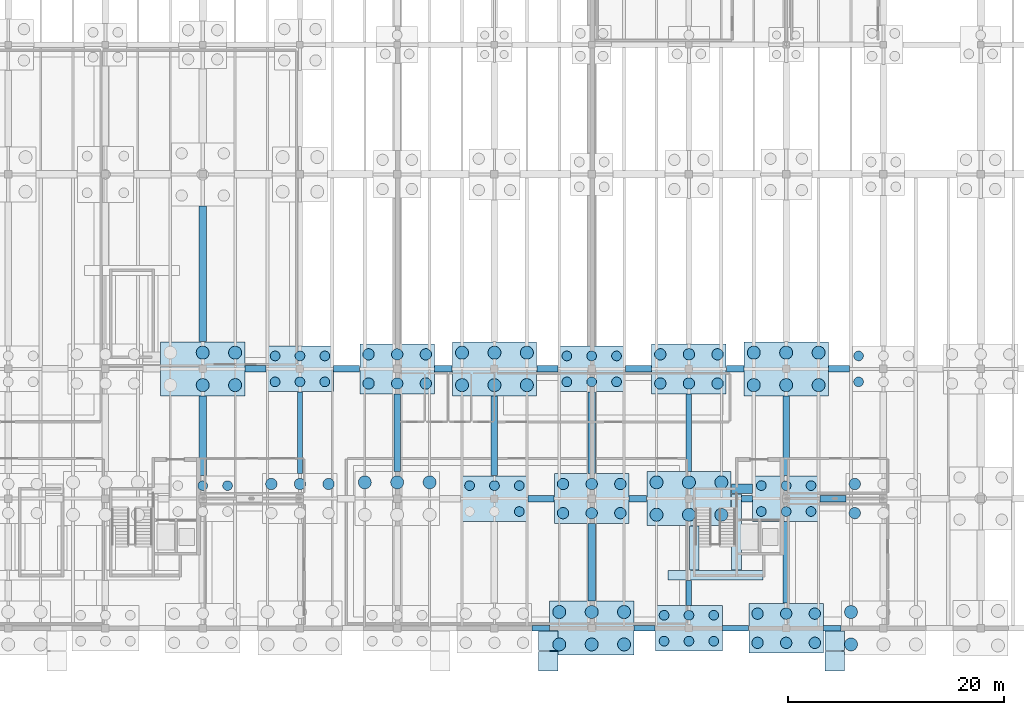
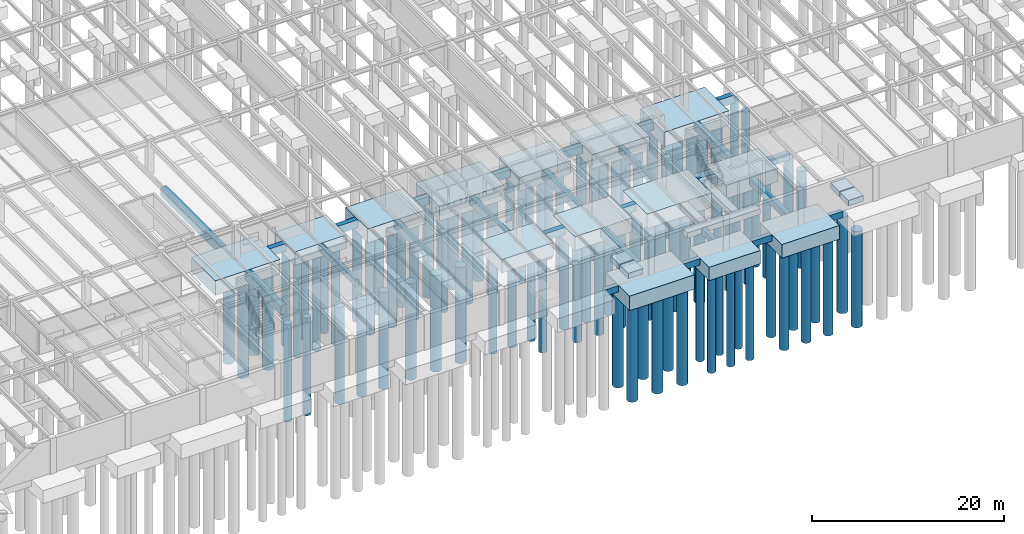
# One storey, part 4 of 40: 94 piles, 48 footings.
"""IFC4 building model written with IfcOpenShell, lengths in metres."""

import ifcopenshell
import ifcopenshell.guid

model = None  # the IFC model being written
_history = None  # IfcOwnerHistory: only IFC2X3 demands one
_inside = {}  # id of a spatial element -> (the spatial element, [elements in it])
_under = {}  # id of a project, library or spatial element -> (it, [spatial elements below it])
_declared = {}  # id of a project -> (the project, [libraries it declares])
_typed = {}  # id of a type object -> (the type object, [elements of that type])
_made_of = {}  # id of a material, layer set ... -> (it, [elements and type objects made of it])


def new_model(schema):
    """Start an empty IFC model of exactly this schema.

    Asked for "IFC4X3", IfcOpenShell would pick the latest addendum, in which some entities
    have other attributes; the version numbers below select the first issue.
    IFC2X3 requires an IfcOwnerHistory on every rooted entity: one is made here for all.
    """
    global model, _history
    if schema == "IFC4X3":
        model = ifcopenshell.file(schema_version=(4, 3, 0, 0))
    else:
        model = ifcopenshell.file(schema=schema)
    _inside.clear()
    _under.clear()
    _declared.clear()
    _typed.clear()
    _made_of.clear()
    _history = None
    if model.schema == "IFC2X3":
        org = make("IfcOrganization", Name="unknown")
        user = make(
            "IfcPersonAndOrganization",
            ThePerson=make("IfcPerson", FamilyName="unknown"),
            TheOrganization=org,
        )
        app = make(
            "IfcApplication",
            ApplicationDeveloper=org,
            Version="unknown",
            ApplicationFullName="unknown",
            ApplicationIdentifier="unknown",
        )
        _history = make(
            "IfcOwnerHistory",
            OwningUser=user,
            OwningApplication=app,
            ChangeAction="ADDED",
            CreationDate=0,
        )
    return model


def make(cls, **values):
    """One entity of the class cls with the attributes given. An attribute that is None is left unset."""
    return model.create_entity(
        cls, **{name: value for name, value in values.items() if value is not None}
    )


def rooted(cls, **values):
    """An entity with a GlobalId (a new one), such as an element, a storey or a relation."""
    return make(cls, GlobalId=ifcopenshell.guid.new(), OwnerHistory=_history, **values)


def si_unit(unit_type, name, prefix=None):
    """IfcSIUnit, for example si_unit("LENGTHUNIT", "METRE", prefix="MILLI")."""
    return make("IfcSIUnit", UnitType=unit_type, Prefix=prefix, Name=name)


def assignment(units):
    """IfcUnitAssignment: the units of a project."""
    return None if units is None else make("IfcUnitAssignment", Units=units)


def point(xyz):
    """IfcCartesianPoint."""
    return None if xyz is None else make("IfcCartesianPoint", Coordinates=xyz)


def direction(xyz):
    """IfcDirection."""
    return None if xyz is None else make("IfcDirection", DirectionRatios=xyz)


def frame(location, z_axis=None, x_axis=None):
    """IfcAxis2Placement3D, a coordinate frame: its origin and axes. An axis left out is left unset."""
    return make(
        "IfcAxis2Placement3D",
        Location=point(location),
        Axis=direction(z_axis),
        RefDirection=direction(x_axis),
    )


def frame_2d(location, x_axis=None):
    """IfcAxis2Placement2D, a coordinate frame in the plane: its origin and x axis."""
    return make(
        "IfcAxis2Placement2D", Location=point(location), RefDirection=direction(x_axis)
    )


def origin():
    """The frame at (0, 0, 0) with its axes left unset."""
    return frame((0.0, 0.0, 0.0))


def origin_2d():
    """The frame at (0, 0) in the plane with its x axis left unset."""
    return frame_2d((0.0, 0.0))


def place(relative_to, where):
    """IfcLocalPlacement: puts the frame where relative to a parent placement (None: the world)."""
    return make(
        "IfcLocalPlacement", PlacementRelTo=relative_to, RelativePlacement=where
    )


def context(
    kind, dimensions, precision=None, world=None, true_north=None, identifier=None
):
    """IfcGeometricRepresentationContext, for example the 3D "Model" context."""
    return make(
        "IfcGeometricRepresentationContext",
        ContextIdentifier=identifier,
        ContextType=kind,
        CoordinateSpaceDimension=dimensions,
        Precision=precision,
        WorldCoordinateSystem=world,
        TrueNorth=true_north,
    )


def subcontext(parent, identifier, kind, view, scale=None):
    """IfcGeometricRepresentationSubContext, for example "Body" below "Model"."""
    return make(
        "IfcGeometricRepresentationSubContext",
        ContextIdentifier=identifier,
        ContextType=kind,
        ParentContext=parent,
        TargetScale=scale,
        TargetView=view,
    )


def project(units=None, contexts=None):
    """IfcProject with its units and contexts."""
    return rooted(
        "IfcProject",
        Name="project",
        RepresentationContexts=contexts,
        UnitsInContext=assignment(units),
    )


def spatial(cls, under=None, at=None, **own):
    """A site, building, storey or space (cls), placed at a placement, below another one or the project."""
    s = rooted(cls, ObjectPlacement=at, **own)
    if under is not None:
        _under.setdefault(under.id(), (under, []))[1].append(s)
    return s


def polyline(points):
    """IfcPolyline through the points."""
    return make("IfcPolyline", Points=[point(p) for p in points])


def profile(cls, at=None, kind="AREA", **sizes):
    """A parametric profile (cls). Its sizes go by their IFC names, for example OverallWidth=200.0."""
    return make(cls, ProfileType=kind, Position=at, **sizes)


def rectangle(**sizes):
    """IfcRectangleProfileDef."""
    return profile("IfcRectangleProfileDef", **sizes)


def circle(**sizes):
    """IfcCircleProfileDef."""
    return profile("IfcCircleProfileDef", **sizes)


def outline(outer, holes=None, kind="AREA"):
    """IfcArbitraryClosedProfileDef: a profile drawn as a closed curve; with holes, ...WithVoids."""
    if holes is None:
        return make("IfcArbitraryClosedProfileDef", ProfileType=kind, OuterCurve=outer)
    return make(
        "IfcArbitraryProfileDefWithVoids",
        ProfileType=kind,
        OuterCurve=outer,
        InnerCurves=holes,
    )


def extrude(swept, where, along, depth):
    """IfcExtrudedAreaSolid: the profile swept, set in the frame where, extruded along a direction by depth."""
    return make(
        "IfcExtrudedAreaSolid",
        SweptArea=swept,
        Position=where,
        ExtrudedDirection=direction(along),
        Depth=depth,
    )


def shape(context_of_items, identifier, shape_type, items):
    """IfcShapeRepresentation: the items that make up one representation, for example the "Body"."""
    return make(
        "IfcShapeRepresentation",
        ContextOfItems=context_of_items,
        RepresentationIdentifier=identifier,
        RepresentationType=shape_type,
        Items=items,
    )


def material(Name=None, Category=None):
    """IfcMaterial."""
    return make("IfcMaterial", Name=Name, Category=Category)


def material_profile(
    of_material, cross_section, Name=None, Category=None, Priority=None
):
    """IfcMaterialProfile: a cross section and its material."""
    return make(
        "IfcMaterialProfile",
        Name=Name,
        Material=of_material,
        Profile=cross_section,
        Priority=Priority,
        Category=Category,
    )


def profile_set(profiles, Name=None, composite=None):
    """IfcMaterialProfileSet."""
    return make(
        "IfcMaterialProfileSet",
        Name=Name,
        MaterialProfiles=profiles,
        CompositeProfile=composite,
    )


def made_of(thing, what):
    """Note that an element or type object is made of a material, layer set ...; save() writes the relation."""
    if what is not None:
        _made_of.setdefault(what.id(), (what, []))[1].append(thing)
    return thing


def type_object(cls, material=None, **own):
    """A type object (cls), such as IfcWallType, which elements share."""
    return made_of(rooted(cls, **own), material)


def element(
    cls,
    number,
    at=None,
    inside=None,
    cuts=None,
    type_object=None,
    material=None,
    context=None,
    identifier="Body",
    shape_type=None,
    held_by="IfcProductDefinitionShape",
    body=None,
    shapes=None,
    **own,
):
    """One element of the class cls, such as IfcWall. Its Tag is "e" and its number.

    at: its placement. inside: the storey or other place that contains it. cuts: it is an
    opening in that element (IfcRelVoidsElement). A single representation is given by context,
    identifier, shape_type and body (its items); several are given by shapes. held_by: the class
    of the entity that holds the representations. save() writes the other relations.
    """
    e = rooted(cls, Tag="e%d" % number, ObjectPlacement=at, **own)
    if body is not None:
        shapes = [shape(context, identifier, shape_type, body)]
    if shapes is not None:
        e.Representation = make(held_by, Representations=shapes)
    if inside is not None:
        _inside.setdefault(inside.id(), (inside, []))[1].append(e)
    if cuts is not None:
        rooted(
            "IfcRelVoidsElement", RelatingBuildingElement=cuts, RelatedOpeningElement=e
        )
    if type_object is not None:
        _typed.setdefault(type_object.id(), (type_object, []))[1].append(e)
    return made_of(e, material)


def aggregate(whole, parts):
    """IfcRelAggregates: a whole, such as a stair, and the parts it consists of."""
    return rooted("IfcRelAggregates", RelatingObject=whole, RelatedObjects=parts)


def save(model, path):
    """Write the relations noted so far, then the file.

    IfcRelAggregates (storeys below a building ...), IfcRelContainedInSpatialStructure (elements
    in a storey), IfcRelDefinesByType, IfcRelAssociatesMaterial and IfcRelDeclares: one each for
    every whole, place, type object, material and project.
    """
    for whole, parts in _under.values():
        aggregate(whole, parts)
    for where, things in _inside.values():
        rooted(
            "IfcRelContainedInSpatialStructure",
            RelatedElements=things,
            RelatingStructure=where,
        )
    for kind, things in _typed.values():
        rooted("IfcRelDefinesByType", RelatedObjects=things, RelatingType=kind)
    for what, things in _made_of.values():
        rooted("IfcRelAssociatesMaterial", RelatedObjects=things, RelatingMaterial=what)
    for by, libraries in _declared.values():
        rooted("IfcRelDeclares", RelatingContext=by, RelatedDefinitions=libraries)
    model.write(path)


model = new_model("IFC4")

# Units and contexts
model_context = context("Model", 3, precision=1e-05, world=origin(), true_north=direction((0.0, 1.0)))
body_context = subcontext(model_context, "Body", "Model", "MODEL_VIEW")
ifc_project = project(units=[si_unit("LENGTHUNIT", "METRE"), si_unit("AREAUNIT", "SQUARE_METRE"), si_unit("VOLUMEUNIT", "CUBIC_METRE"), si_unit("PLANEANGLEUNIT", "RADIAN"), si_unit("MASSUNIT", "GRAM", prefix="KILO")], contexts=[model_context])

# Site, building, storey
site_placement = place(None, origin())
site = spatial("IfcSite", under=ifc_project, at=site_placement, CompositionType="ELEMENT")
building_placement = place(site_placement, origin())
building = spatial("IfcBuilding", under=site, at=building_placement, Name="Montelvaro Courts of Justice", CompositionType="ELEMENT")
storey_placement = place(building_placement, frame((0.0, 0.0, -4.5)))
storey = spatial("IfcBuildingStorey", under=building, at=storey_placement, Name="B01", CompositionType="ELEMENT", Elevation=-4.5)

# Piles
ifc_material = material(Name="Concrete C35/45", Category="concrete")
ifc_material_profile_1 = material_profile(ifc_material, circle(Radius=0.52490234375, at=origin_2d()), Name="BORED PILE D1050")
ifc_profile_set_1 = profile_set([ifc_material_profile_1], Name="Concrete C35/45")
pile_type_1 = type_object("IfcPileType", Name="BoredPile_1050", PredefinedType="BORED", material=ifc_profile_set_1)
for number, where, z_axis, x_axis, name in (
    (1, (69.35009765625, 13.35009765625, -1.64990234375), (0.0, 0.0, -1.0), (1.0, 0.0, 0.0), "Bored Pile BP-03 9/B-4"),
    (2, (72.0, 13.35009765625, -1.64990234375), (0.0, 0.0, -1.0), (1.0, 0.0, 0.0), "Bored Pile BP-03 9/B-5"),
    (3, (74.64990234375, 13.35009765625, -1.64990234375), (0.0, 0.0, -1.0), (1.0, 0.0, 0.0), "Bored Pile BP-03 9/B-6"),
    (4, (78.35009765625, 22.64990234375, -1.64990234375), (0.0, 0.0, -1.0), (1.0, 0.0, 0.0), "Bored Pile BP-03 10/C-1"),
    (5, (81.0, 22.64990234375, -1.64990234375), (0.0, 0.0, -1.0), (1.0, 0.0, 0.0), "Bored Pile BP-03 10/C-2"),
    (6, (83.64990234375, 22.64990234375, -1.64990234375), (0.0, 0.0, -1.0), (1.0, 0.0, 0.0), "Bored Pile BP-03 10/C-3"),
    (7, (78.35009765625, 25.35009765625, -1.64990234375), (0.0, 0.0, -1.0), (1.0, 0.0, 0.0), "Bored Pile BP-03 10/C-4"),
    (8, (81.0, 25.35009765625, -1.64990234375), (0.0, 0.0, -1.0), (1.0, 0.0, 0.0), "Bored Pile BP-03 10/C-5"),
    (9, (83.64990234375, 25.35009765625, -1.64990234375), (0.0, 0.0, -1.0), (1.0, 0.0, 0.0), "Bored Pile BP-03 10/C-6"),
    (10, (96.35009765625, 10.64990234375, -1.64990234375), (0.0, 0.0, -1.0), (1.0, 0.0, 0.0), "Bored Pile BP-03 12/B-1"),
    (11, (99.0, 10.64990234375, -1.64990234375), (0.0, 0.0, -1.0), (1.0, 0.0, 0.0), "Bored Pile BP-03 12/B-2"),
    (12, (101.64990234375, 10.64990234375, -1.64990234375), (0.0, 0.0, -1.0), (1.0, 0.0, 0.0), "Bored Pile BP-03 12/B-3"),
    (13, (96.35009765625, 13.35009765625, -1.64990234375), (0.0, 0.0, -1.0), (1.0, 0.0, 0.0), "Bored Pile BP-03 12/B-4"),
    (14, (99.0, 13.35009765625, -1.64990234375), (0.0, 0.0, -1.0), (1.0, 0.0, 0.0), "Bored Pile BP-03 12/B-5"),
    (15, (101.64990234375, 13.35009765625, -1.64990234375), (0.0, 0.0, -1.0), (1.0, 0.0, 0.0), "Bored Pile BP-03 12/B-6"),
    (16, (105.35009765625, 22.64990234375, -1.64990234375), (0.0, 0.0, -1.0), (1.0, 0.0, 0.0), "Bored Pile BP-03 13/C-1"),
    (17, (108.0, 22.64990234375, -1.64990234375), (0.0, 0.0, -1.0), (1.0, 0.0, 0.0), "Bored Pile BP-03 13/C-2"),
    (18, (110.64990234375, 22.64990234375, -1.64990234375), (0.0, 0.0, -1.0), (1.0, 0.0, 0.0), "Bored Pile BP-03 13/C-3"),
    (19, (105.35009765625, 25.35009765625, -1.64990234375), (0.0, 0.0, -1.0), (1.0, 0.0, 0.0), "Bored Pile BP-03 13/C-4"),
    (20, (108.0, 25.35009765625, -1.64990234375), (0.0, 0.0, -1.0), (1.0, 0.0, 0.0), "Bored Pile BP-03 13/C-5"),
    (21, (110.64990234375, 25.35009765625, -1.64990234375), (0.0, 0.0, -1.0), (1.0, 0.0, 0.0), "Bored Pile BP-03 13/C-6"),
    (22, (114.35009765625, -1.35009765625, -1.64990234375), (0.0, 0.0, -1.0), (1.0, 0.0, 0.0), "Bored Pile BP-03 14/A-1"),
    (23, (117.0, -1.35009765625, -1.64990234375), (0.0, 0.0, -1.0), (1.0, 0.0, 0.0), "Bored Pile BP-03 14/A-2"),
    (24, (119.64990234375, -1.35009765625, -1.64990234375), (0.0, 0.0, -1.0), (1.0, 0.0, 0.0), "Bored Pile BP-03 14/A-3"),
    (25, (114.35009765625, 1.35009765625, -1.64990234375), (0.0, 0.0, -1.0), (1.0, 0.0, 0.0), "Bored Pile BP-03 14/A-4"),
    (26, (117.0, 1.35009765625, -1.64990234375), (0.0, 0.0, -1.0), (1.0, 0.0, 0.0), "Bored Pile BP-03 14/A-5"),
    (27, (119.64990234375, 1.35009765625, -1.64990234375), (0.0, 0.0, -1.0), (1.0, 0.0, 0.0), "Bored Pile BP-03 14/A-6"),
    (28, (123.35009765625, 10.64990234375, -1.64990234375), (0.0, 0.0, -1.0), (1.0, 0.0, 0.0), "Bored Pile BP-03 15/B-1"),
    (29, (123.35009765625, 13.35009765625, -1.64990234375), (0.0, 0.0, -1.0), (1.0, 0.0, 0.0), "Bored Pile BP-03 15/B-4"),
):
    element("IfcPile", number, at=place(storey_placement, frame(where, z_axis=z_axis, x_axis=x_axis)), inside=storey, type_object=pile_type_1, Name=name, PredefinedType="BORED", context=body_context, shape_type="SweptSolid", body=[
        extrude(circle(Radius=0.52490234375, at=origin_2d()), origin(), (0.0, 0.0, 1.0), 12.35009765625),
    ])
ifc_material_profile_2 = material_profile(ifc_material, circle(Radius=0.60009765625, at=origin_2d()), Name="BORED PILE D1200")
ifc_profile_set_2 = profile_set([ifc_material_profile_2], Name="Concrete C35/45")
pile_type_2 = type_object("IfcPileType", Name="BoredPile_1200", PredefinedType="BORED", material=ifc_profile_set_2)
for number, where, z_axis, x_axis, name in (
    (30, (63.0, 22.5, -1.75), (0.0, 0.0, -1.0), (1.0, 0.0, 0.0), "Bored Pile BP-04 8/C-2"),
    (31, (66.0, 22.5, -1.75), (0.0, 0.0, -1.0), (1.0, 0.0, 0.0), "Bored Pile BP-04 8/C-3"),
    (32, (63.0, 25.5, -1.75), (0.0, 0.0, -1.0), (1.0, 0.0, 0.0), "Bored Pile BP-04 8/C-5"),
    (33, (66.0, 25.5, -1.75), (0.0, 0.0, -1.0), (1.0, 0.0, 0.0), "Bored Pile BP-04 8/C-6"),
    (34, (78.0, 13.5, -1.75), (0.0, 0.0, -1.0), (1.0, 0.0, 0.0), "Bored Pile BP-04 10/B-4"),
    (35, (81.0, 13.5, -1.75), (0.0, 0.0, -1.0), (1.0, 0.0, 0.0), "Bored Pile BP-04 10/B-5"),
    (36, (84.0, 13.5, -1.75), (0.0, 0.0, -1.0), (1.0, 0.0, 0.0), "Bored Pile BP-04 10/B-6"),
    (37, (87.0, 22.5, -1.75), (0.0, 0.0, -1.0), (1.0, 0.0, 0.0), "Bored Pile BP-04 11/C-1"),
    (38, (90.0, 22.5, -1.75), (0.0, 0.0, -1.0), (1.0, 0.0, 0.0), "Bored Pile BP-04 11/C-2"),
    (39, (93.0, 22.5, -1.75), (0.0, 0.0, -1.0), (1.0, 0.0, 0.0), "Bored Pile BP-04 11/C-3"),
    (40, (87.0, 25.5, -1.75), (0.0, 0.0, -1.0), (1.0, 0.0, 0.0), "Bored Pile BP-04 11/C-4"),
    (41, (90.0, 25.5, -1.75), (0.0, 0.0, -1.0), (1.0, 0.0, 0.0), "Bored Pile BP-04 11/C-5"),
    (42, (93.0, 25.5, -1.75), (0.0, 0.0, -1.0), (1.0, 0.0, 0.0), "Bored Pile BP-04 11/C-6"),
    (43, (96.0, -1.5, -1.75), (0.0, 0.0, -1.0), (1.0, 0.0, 0.0), "Bored Pile BP-04 12/A-1"),
    (44, (99.0, -1.5, -1.75), (0.0, 0.0, -1.0), (1.0, 0.0, 0.0), "Bored Pile BP-04 12/A-2"),
    (45, (102.0, -1.5, -1.75), (0.0, 0.0, -1.0), (1.0, 0.0, 0.0), "Bored Pile BP-04 12/A-3"),
    (46, (96.0, 1.5, -1.75), (0.0, 0.0, -1.0), (1.0, 0.0, 0.0), "Bored Pile BP-04 12/A-4"),
    (47, (99.0, 1.5, -1.75), (0.0, 0.0, -1.0), (1.0, 0.0, 0.0), "Bored Pile BP-04 12/A-5"),
    (48, (102.0, 1.5, -1.75), (0.0, 0.0, -1.0), (1.0, 0.0, 0.0), "Bored Pile BP-04 12/A-6"),
    (49, (105.0, 10.5, -1.75), (0.0, 0.0, -1.0), (1.0, 0.0, 0.0), "Bored Pile BP-04 13/B-1"),
    (50, (108.0, 10.5, -1.75), (0.0, 0.0, -1.0), (1.0, 0.0, 0.0), "Bored Pile BP-04 13/B-2"),
    (51, (111.0, 10.5, -1.75), (0.0, 0.0, -1.0), (1.0, 0.0, 0.0), "Bored Pile BP-04 13/B-3"),
    (52, (105.0, 13.5, -1.75), (0.0, 0.0, -1.0), (1.0, 0.0, 0.0), "Bored Pile BP-04 13/B-4"),
    (53, (108.0, 13.5, -1.75), (0.0, 0.0, -1.0), (1.0, 0.0, 0.0), "Bored Pile BP-04 13/B-5"),
    (54, (111.0, 13.5, -1.75), (0.0, 0.0, -1.0), (1.0, 0.0, 0.0), "Bored Pile BP-04 13/B-6"),
    (55, (114.0, 22.5, -1.75), (0.0, 0.0, -1.0), (1.0, 0.0, 0.0), "Bored Pile BP-04 14/C-1"),
    (56, (117.0, 22.5, -1.75), (0.0, 0.0, -1.0), (1.0, 0.0, 0.0), "Bored Pile BP-04 14/C-2"),
    (57, (120.0, 22.5, -1.75), (0.0, 0.0, -1.0), (1.0, 0.0, 0.0), "Bored Pile BP-04 14/C-3"),
    (58, (114.0, 25.5, -1.75), (0.0, 0.0, -1.0), (1.0, 0.0, 0.0), "Bored Pile BP-04 14/C-4"),
    (59, (117.0, 25.5, -1.75), (0.0, 0.0, -1.0), (1.0, 0.0, 0.0), "Bored Pile BP-04 14/C-5"),
    (60, (120.0, 25.5, -1.75), (0.0, 0.0, -1.0), (1.0, 0.0, 0.0), "Bored Pile BP-04 14/C-6"),
    (61, (123.0, -1.5, -1.75), (0.0, 0.0, -1.0), (1.0, 0.0, 0.0), "Bored Pile BP-04 15/A-1"),
    (62, (123.0, 1.5, -1.75), (0.0, 0.0, -1.0), (1.0, 0.0, 0.0), "Bored Pile BP-04 15/A-4"),
):
    element("IfcPile", number, at=place(storey_placement, frame(where, z_axis=z_axis, x_axis=x_axis)), inside=storey, type_object=pile_type_2, Name=name, PredefinedType="BORED", context=body_context, shape_type="SweptSolid", body=[
        extrude(circle(Radius=0.60009765625, at=origin_2d()), origin(), (0.0, 0.0, 1.0), 12.25),
    ])
ifc_material_profile_3 = material_profile(ifc_material, circle(Radius=0.449951171875, at=origin_2d()), Name="BORED PILE D900")
ifc_profile_set_3 = profile_set([ifc_material_profile_3], Name="Concrete C35/45")
pile_type_3 = type_object("IfcPileType", Name="BoredPile_900", PredefinedType="BORED", material=ifc_profile_set_3)
for number, where, z_axis, x_axis, name in (
    (63, (63.0, 13.199951171875, -1.60009765625), (0.0, 0.0, -1.0), (1.0, 0.0, 0.0), "Bored Pile BP-02 8/B-5"),
    (64, (65.300048828125, 13.199951171875, -1.60009765625), (0.0, 0.0, -1.0), (1.0, 0.0, 0.0), "Bored Pile BP-02 8/B-6"),
    (65, (69.699951171875, 22.800048828125, -1.60009765625), (0.0, 0.0, -1.0), (1.0, 0.0, 0.0), "Bored Pile BP-02 9/C-1"),
    (66, (72.0, 22.800048828125, -1.60009765625), (0.0, 0.0, -1.0), (1.0, 0.0, 0.0), "Bored Pile BP-02 9/C-2"),
    (67, (74.300048828125, 22.800048828125, -1.60009765625), (0.0, 0.0, -1.0), (1.0, 0.0, 0.0), "Bored Pile BP-02 9/C-3"),
    (68, (69.699951171875, 25.199951171875, -1.60009765625), (0.0, 0.0, -1.0), (1.0, 0.0, 0.0), "Bored Pile BP-02 9/C-4"),
    (69, (72.0, 25.199951171875, -1.60009765625), (0.0, 0.0, -1.0), (1.0, 0.0, 0.0), "Bored Pile BP-02 9/C-5"),
    (70, (74.300048828125, 25.199951171875, -1.60009765625), (0.0, 0.0, -1.0), (1.0, 0.0, 0.0), "Bored Pile BP-02 9/C-6"),
    (71, (92.300048828125, 10.800048828125, -1.60009765625), (0.0, 0.0, -1.0), (1.0, 0.0, 0.0), "Bored Pile BP-02 11/B-3"),
    (72, (87.699951171875, 13.199951171875, -1.60009765625), (0.0, 0.0, -1.0), (1.0, 0.0, 0.0), "Bored Pile BP-02 11/B-4"),
    (73, (90.0, 13.199951171875, -1.60009765625), (0.0, 0.0, -1.0), (1.0, 0.0, 0.0), "Bored Pile BP-02 11/B-5"),
    (74, (92.300048828125, 13.199951171875, -1.60009765625), (0.0, 0.0, -1.0), (1.0, 0.0, 0.0), "Bored Pile BP-02 11/B-6"),
    (75, (96.699951171875, 22.800048828125, -1.60009765625), (0.0, 0.0, -1.0), (1.0, 0.0, 0.0), "Bored Pile BP-02 12/C-1"),
    (76, (99.0, 22.800048828125, -1.60009765625), (0.0, 0.0, -1.0), (1.0, 0.0, 0.0), "Bored Pile BP-02 12/C-2"),
    (77, (101.300048828125, 22.800048828125, -1.60009765625), (0.0, 0.0, -1.0), (1.0, 0.0, 0.0), "Bored Pile BP-02 12/C-3"),
    (78, (96.699951171875, 25.199951171875, -1.60009765625), (0.0, 0.0, -1.0), (1.0, 0.0, 0.0), "Bored Pile BP-02 12/C-4"),
    (79, (99.0, 25.199951171875, -1.60009765625), (0.0, 0.0, -1.0), (1.0, 0.0, 0.0), "Bored Pile BP-02 12/C-5"),
    (80, (101.300048828125, 25.199951171875, -1.60009765625), (0.0, 0.0, -1.0), (1.0, 0.0, 0.0), "Bored Pile BP-02 12/C-6"),
    (81, (105.699951171875, -1.199951171875, -1.60009765625), (0.0, 0.0, -1.0), (1.0, 0.0, 0.0), "Bored Pile BP-02 13/A-1"),
    (82, (108.0, -1.199951171875, -1.60009765625), (0.0, 0.0, -1.0), (1.0, 0.0, 0.0), "Bored Pile BP-02 13/A-2"),
    (83, (110.300048828125, -1.199951171875, -1.60009765625), (0.0, 0.0, -1.0), (1.0, 0.0, 0.0), "Bored Pile BP-02 13/A-3"),
    (84, (105.699951171875, 1.199951171875, -1.60009765625), (0.0, 0.0, -1.0), (1.0, 0.0, 0.0), "Bored Pile BP-02 13/A-4"),
    (85, (108.0, 1.199951171875, -1.60009765625), (0.0, 0.0, -1.0), (1.0, 0.0, 0.0), "Bored Pile BP-02 13/A-5"),
    (86, (110.300048828125, 1.199951171875, -1.60009765625), (0.0, 0.0, -1.0), (1.0, 0.0, 0.0), "Bored Pile BP-02 13/A-6"),
    (87, (114.699951171875, 10.800048828125, -1.60009765625), (0.0, 0.0, -1.0), (1.0, 0.0, 0.0), "Bored Pile BP-02 14/B-1"),
    (88, (117.0, 10.800048828125, -1.60009765625), (0.0, 0.0, -1.0), (1.0, 0.0, 0.0), "Bored Pile BP-02 14/B-2"),
    (89, (119.300048828125, 10.800048828125, -1.60009765625), (0.0, 0.0, -1.0), (1.0, 0.0, 0.0), "Bored Pile BP-02 14/B-3"),
    (90, (114.699951171875, 13.199951171875, -1.60009765625), (0.0, 0.0, -1.0), (1.0, 0.0, 0.0), "Bored Pile BP-02 14/B-4"),
    (91, (117.0, 13.199951171875, -1.60009765625), (0.0, 0.0, -1.0), (1.0, 0.0, 0.0), "Bored Pile BP-02 14/B-5"),
    (92, (119.300048828125, 13.199951171875, -1.60009765625), (0.0, 0.0, -1.0), (1.0, 0.0, 0.0), "Bored Pile BP-02 14/B-6"),
    (93, (123.699951171875, 22.800048828125, -1.60009765625), (0.0, 0.0, -1.0), (1.0, 0.0, 0.0), "Bored Pile BP-02 15/C-1"),
    (94, (123.699951171875, 25.199951171875, -1.60009765625), (0.0, 0.0, -1.0), (1.0, 0.0, 0.0), "Bored Pile BP-02 15/C-4"),
):
    element("IfcPile", number, at=place(storey_placement, frame(where, z_axis=z_axis, x_axis=x_axis)), inside=storey, type_object=pile_type_3, Name=name, PredefinedType="BORED", context=body_context, shape_type="SweptSolid", body=[
        extrude(circle(Radius=0.449951171875, at=origin_2d()), origin(), (0.0, 0.0, 1.0), 12.39990234375),
    ])

# Footings
footing_type_1 = type_object("IfcFootingType", Name="GroundBeam_500x800", PredefinedType="FOOTING_BEAM", material=ifc_material)
footing_1_placement = place(storey_placement, frame((0.0, 0.0, -0.800048828125)))
element("IfcFooting", 95, at=footing_1_placement, inside=storey, type_object=footing_type_1, Name="Foundation Ground Beam GB-01", PredefinedType="FOOTING_BEAM", context=body_context, shape_type="SweptSolid", body=[
    extrude(outline(polyline([(93.469970703125, -0.25), (95.080078125, -0.25), (95.080078125, 0.25), (93.469970703125, 0.25), (93.469970703125, -0.25)])), origin(), (0.0, 0.0, 1.0), 0.800048828125),
])
footing_2_placement = place(storey_placement, frame((0.0, 0.0, -0.800048828125)))
element("IfcFooting", 96, at=footing_2_placement, inside=storey, type_object=footing_type_1, Name="Foundation Ground Beam GB-01", PredefinedType="FOOTING_BEAM", context=body_context, shape_type="SweptSolid", body=[
    extrude(outline(polyline([(102.919921875, -0.25), (104.8798828125, -0.25), (104.8798828125, 0.25), (102.919921875, 0.25), (102.919921875, -0.25)])), origin(), (0.0, 0.0, 1.0), 0.800048828125),
])
footing_3_placement = place(storey_placement, frame((0.0, 0.0, -0.800048828125)))
element("IfcFooting", 97, at=footing_3_placement, inside=storey, type_object=footing_type_1, Name="Foundation Ground Beam GB-01", PredefinedType="FOOTING_BEAM", context=body_context, shape_type="SweptSolid", body=[
    extrude(outline(polyline([(111.1201171875, -0.25), (113.530029296875, -0.25), (113.530029296875, 0.25), (111.1201171875, 0.25), (111.1201171875, -0.25)])), origin(), (0.0, 0.0, 1.0), 0.800048828125),
])
footing_4_placement = place(storey_placement, frame((0.0, 0.0, -0.800048828125)))
element("IfcFooting", 98, at=footing_4_placement, inside=storey, type_object=footing_type_1, Name="Foundation Ground Beam GB-01", PredefinedType="FOOTING_BEAM", context=body_context, shape_type="SweptSolid", body=[
    extrude(outline(polyline([(120.469970703125, -0.25), (122.080078125, -0.25), (122.080078125, 0.25), (120.469970703125, 0.25), (120.469970703125, -0.25)])), origin(), (0.0, 0.0, 1.0), 0.800048828125),
])
footing_5_placement = place(storey_placement, frame((0.0, 0.0, -0.800048828125)))
element("IfcFooting", 99, at=footing_5_placement, inside=storey, type_object=footing_type_1, Name="Foundation Ground Beam GB-01", PredefinedType="FOOTING_BEAM", context=body_context, shape_type="SweptSolid", body=[
    extrude(outline(polyline([(71.75, 14.320068359375), (72.25, 14.320068359375), (72.25, 21.8798828125), (71.75, 21.8798828125), (71.75, 14.320068359375)])), origin(), (0.0, 0.0, 1.0), 0.800048828125),
])
footing_6_placement = place(storey_placement, frame((0.0, 0.0, -0.800048828125)))
element("IfcFooting", 100, at=footing_6_placement, inside=storey, type_object=footing_type_1, Name="Foundation Ground Beam GB-01", PredefinedType="FOOTING_BEAM", context=body_context, shape_type="SweptSolid", body=[
    extrude(outline(polyline([(107.75, 2.1201171875), (108.25, 2.1201171875), (108.25, 4.429931640625), (107.75, 4.429931640625), (107.75, 2.1201171875)])), origin(), (0.0, 0.0, 1.0), 0.800048828125),
])
footing_7_placement = place(storey_placement, frame((0.0, 0.0, -0.800048828125)))
element("IfcFooting", 101, at=footing_7_placement, inside=storey, type_object=footing_type_1, Name="Foundation Ground Beam GB-01", PredefinedType="FOOTING_BEAM", context=body_context, shape_type="SweptSolid", body=[
    extrude(outline(polyline([(107.75, 14.52001953125), (108.25, 14.52001953125), (108.25, 21.679931640625), (107.75, 21.679931640625), (107.75, 14.52001953125)])), origin(), (0.0, 0.0, 1.0), 0.800048828125),
])
footing_type_2 = type_object("IfcFootingType", Name="GroundBeam_600x1000", PredefinedType="FOOTING_BEAM", material=ifc_material)
footing_8_placement = place(storey_placement, frame((0.0, 0.0, -1.0)))
element("IfcFooting", 102, at=footing_8_placement, inside=storey, type_object=footing_type_2, Name="Foundation Ground Beam GB-03", PredefinedType="FOOTING_BEAM", context=body_context, shape_type="SweptSolid", body=[
    extrude(outline(polyline([(66.919921875, 23.699951171875), (68.8798828125, 23.699951171875), (68.8798828125, 24.300048828125), (66.919921875, 24.300048828125), (66.919921875, 23.699951171875)])), origin(), (0.0, 0.0, 1.0), 1.0),
])
footing_9_placement = place(storey_placement, frame((0.0, 0.0, -1.0)))
element("IfcFooting", 103, at=footing_9_placement, inside=storey, type_object=footing_type_2, Name="Foundation Ground Beam GB-03", PredefinedType="FOOTING_BEAM", context=body_context, shape_type="SweptSolid", body=[
    extrude(outline(polyline([(75.1201171875, 23.699951171875), (77.530029296875, 23.699951171875), (77.530029296875, 24.300048828125), (75.1201171875, 24.300048828125), (75.1201171875, 23.699951171875)])), origin(), (0.0, 0.0, 1.0), 1.0),
])
footing_10_placement = place(storey_placement, frame((0.0, 0.0, -1.0)))
element("IfcFooting", 104, at=footing_10_placement, inside=storey, type_object=footing_type_2, Name="Foundation Ground Beam GB-03", PredefinedType="FOOTING_BEAM", context=body_context, shape_type="SweptSolid", body=[
    extrude(outline(polyline([(84.469970703125, 23.699951171875), (86.080078125, 23.699951171875), (86.080078125, 24.300048828125), (84.469970703125, 24.300048828125), (84.469970703125, 23.699951171875)])), origin(), (0.0, 0.0, 1.0), 1.0),
])
footing_11_placement = place(storey_placement, frame((0.0, 0.0, -1.0)))
element("IfcFooting", 105, at=footing_11_placement, inside=storey, type_object=footing_type_2, Name="Foundation Ground Beam GB-03", PredefinedType="FOOTING_BEAM", context=body_context, shape_type="SweptSolid", body=[
    extrude(outline(polyline([(93.919921875, 23.699951171875), (95.8798828125, 23.699951171875), (95.8798828125, 24.300048828125), (93.919921875, 24.300048828125), (93.919921875, 23.699951171875)])), origin(), (0.0, 0.0, 1.0), 1.0),
])
footing_12_placement = place(storey_placement, frame((0.0, 0.0, -1.0)))
element("IfcFooting", 106, at=footing_12_placement, inside=storey, type_object=footing_type_2, Name="Foundation Ground Beam GB-03", PredefinedType="FOOTING_BEAM", context=body_context, shape_type="SweptSolid", body=[
    extrude(outline(polyline([(102.1201171875, 23.699951171875), (104.530029296875, 23.699951171875), (104.530029296875, 24.300048828125), (102.1201171875, 24.300048828125), (102.1201171875, 23.699951171875)])), origin(), (0.0, 0.0, 1.0), 1.0),
])
footing_13_placement = place(storey_placement, frame((0.0, 0.0, -1.0)))
element("IfcFooting", 107, at=footing_13_placement, inside=storey, type_object=footing_type_2, Name="Foundation Ground Beam GB-03", PredefinedType="FOOTING_BEAM", context=body_context, shape_type="SweptSolid", body=[
    extrude(outline(polyline([(111.469970703125, 23.699951171875), (113.080078125, 23.699951171875), (113.080078125, 24.300048828125), (111.469970703125, 24.300048828125), (111.469970703125, 23.699951171875)])), origin(), (0.0, 0.0, 1.0), 1.0),
])
footing_14_placement = place(storey_placement, frame((0.0, 0.0, -1.0)))
element("IfcFooting", 108, at=footing_14_placement, inside=storey, type_object=footing_type_2, Name="Foundation Ground Beam GB-03", PredefinedType="FOOTING_BEAM", context=body_context, shape_type="SweptSolid", body=[
    extrude(outline(polyline([(120.919921875, 23.699951171875), (122.8798828125, 23.699951171875), (122.8798828125, 24.300048828125), (120.919921875, 24.300048828125), (120.919921875, 23.699951171875)])), origin(), (0.0, 0.0, 1.0), 1.0),
])
footing_15_placement = place(storey_placement, frame((0.0, 0.0, -1.0)))
element("IfcFooting", 109, at=footing_15_placement, inside=storey, type_object=footing_type_2, Name="Foundation Ground Beam GB-03", PredefinedType="FOOTING_BEAM", context=body_context, shape_type="SweptSolid", body=[
    extrude(outline(polyline([(89.699951171875, 14.1201171875), (90.300048828125, 14.1201171875), (90.300048828125, 21.47998046875), (89.699951171875, 21.47998046875), (89.699951171875, 14.1201171875)])), origin(), (0.0, 0.0, 1.0), 1.0),
])
footing_type_3 = type_object("IfcFootingType", Name="GroundBeam_600x900", PredefinedType="FOOTING_BEAM", material=ifc_material)
footing_16_placement = place(storey_placement, frame((0.0, 0.0, -0.89990234375)))
element("IfcFooting", 110, at=footing_16_placement, inside=storey, type_object=footing_type_3, Name="Foundation Ground Beam GB-02", PredefinedType="FOOTING_BEAM", context=body_context, shape_type="SweptSolid", body=[
    extrude(outline(polyline([(93.1201171875, 11.699951171875), (95.530029296875, 11.699951171875), (95.530029296875, 12.300048828125), (93.1201171875, 12.300048828125), (93.1201171875, 11.699951171875)])), origin(), (0.0, 0.0, 1.0), 0.89990234375),
])
footing_17_placement = place(storey_placement, frame((0.0, 0.0, -0.89990234375)))
element("IfcFooting", 111, at=footing_17_placement, inside=storey, type_object=footing_type_3, Name="Foundation Ground Beam GB-02", PredefinedType="FOOTING_BEAM", context=body_context, shape_type="SweptSolid", body=[
    extrude(outline(polyline([(102.469970703125, 11.699951171875), (104.080078125, 11.699951171875), (104.080078125, 12.300048828125), (102.469970703125, 12.300048828125), (102.469970703125, 11.699951171875)])), origin(), (0.0, 0.0, 1.0), 0.89990234375),
])
footing_18_placement = place(storey_placement, frame((0.0, 0.0, -0.89990234375)))
element("IfcFooting", 112, at=footing_18_placement, inside=storey, type_object=footing_type_3, Name="Foundation Ground Beam GB-02", PredefinedType="FOOTING_BEAM", context=body_context, shape_type="SweptSolid", body=[
    extrude(outline(polyline([(112.8701171875, 11.699951171875), (113.8798828125, 11.699951171875), (113.8798828125, 12.300048828125), (112.8701171875, 12.300048828125), (112.8701171875, 11.699951171875)])), origin(), (0.0, 0.0, 1.0), 0.89990234375),
])
footing_19_placement = place(storey_placement, frame((0.0, 0.0, -0.89990234375)))
element("IfcFooting", 113, at=footing_19_placement, inside=storey, type_object=footing_type_3, Name="Foundation Ground Beam GB-02", PredefinedType="FOOTING_BEAM", context=body_context, shape_type="SweptSolid", body=[
    extrude(outline(polyline([(120.1201171875, 11.699951171875), (122.530029296875, 11.699951171875), (122.530029296875, 12.300048828125), (120.1201171875, 12.300048828125), (120.1201171875, 11.699951171875)])), origin(), (0.0, 0.0, 1.0), 0.89990234375),
])
footing_20_placement = place(storey_placement, frame((0.0, 0.0, -0.89990234375)))
element("IfcFooting", 114, at=footing_20_placement, inside=storey, type_object=footing_type_3, Name="Foundation Ground Beam GB-02", PredefinedType="FOOTING_BEAM", context=body_context, shape_type="SweptSolid", body=[
    extrude(outline(polyline([(80.699951171875, 14.52001953125), (81.300048828125, 14.52001953125), (81.300048828125, 21.679931640625), (80.699951171875, 21.679931640625), (80.699951171875, 14.52001953125)])), origin(), (0.0, 0.0, 1.0), 0.89990234375),
])
footing_21_placement = place(storey_placement, frame((0.0, 0.0, -0.89990234375)))
element("IfcFooting", 115, at=footing_21_placement, inside=storey, type_object=footing_type_3, Name="Foundation Ground Beam GB-02", PredefinedType="FOOTING_BEAM", context=body_context, shape_type="SweptSolid", body=[
    extrude(outline(polyline([(116.699951171875, 2.320068359375), (117.300048828125, 2.320068359375), (117.300048828125, 9.8798828125), (116.699951171875, 9.8798828125), (116.699951171875, 2.320068359375)])), origin(), (0.0, 0.0, 1.0), 0.89990234375),
])
footing_22_placement = place(storey_placement, frame((0.0, 0.0, -0.89990234375)))
element("IfcFooting", 116, at=footing_22_placement, inside=storey, type_object=footing_type_3, Name="Foundation Ground Beam GB-02", PredefinedType="FOOTING_BEAM", context=body_context, shape_type="SweptSolid", body=[
    extrude(outline(polyline([(116.699951171875, 14.1201171875), (117.300048828125, 14.1201171875), (117.300048828125, 21.47998046875), (116.699951171875, 21.47998046875), (116.699951171875, 14.1201171875)])), origin(), (0.0, 0.0, 1.0), 0.89990234375),
])
footing_type_4 = type_object("IfcFootingType", Name="GroundBeam_700x1100", PredefinedType="FOOTING_BEAM", material=ifc_material)
footing_23_placement = place(storey_placement, frame((0.0, 0.0, -1.10009765625)))
element("IfcFooting", 117, at=footing_23_placement, inside=storey, type_object=footing_type_4, Name="Foundation Ground Beam GB-04", PredefinedType="FOOTING_BEAM", context=body_context, shape_type="SweptSolid", body=[
    extrude(outline(polyline([(62.64990234375, 14.1201171875), (63.35009765625, 14.1201171875), (63.35009765625, 21.47998046875), (62.64990234375, 21.47998046875), (62.64990234375, 14.1201171875)])), origin(), (0.0, 0.0, 1.0), 1.10009765625),
])
footing_24_placement = place(storey_placement, frame((0.0, 0.0, -1.10009765625)))
element("IfcFooting", 118, at=footing_24_placement, inside=storey, type_object=footing_type_4, Name="Foundation Ground Beam GB-04", PredefinedType="FOOTING_BEAM", context=body_context, shape_type="SweptSolid", body=[
    extrude(outline(polyline([(62.64990234375, 26.52001953125), (63.35009765625, 26.52001953125), (63.35009765625, 39.080078125), (62.64990234375, 39.080078125), (62.64990234375, 26.52001953125)])), origin(), (0.0, 0.0, 1.0), 1.10009765625),
])
footing_25_placement = place(storey_placement, frame((0.0, 0.0, -1.10009765625)))
element("IfcFooting", 119, at=footing_25_placement, inside=storey, type_object=footing_type_4, Name="Foundation Ground Beam GB-04", PredefinedType="FOOTING_BEAM", context=body_context, shape_type="SweptSolid", body=[
    extrude(outline(polyline([(98.64990234375, 2.52001953125), (99.35009765625, 2.52001953125), (99.35009765625, 9.679931640625), (98.64990234375, 9.679931640625), (98.64990234375, 2.52001953125)])), origin(), (0.0, 0.0, 1.0), 1.10009765625),
])
footing_26_placement = place(storey_placement, frame((0.0, 0.0, -1.10009765625)))
element("IfcFooting", 120, at=footing_26_placement, inside=storey, type_object=footing_type_4, Name="Foundation Ground Beam GB-04", PredefinedType="FOOTING_BEAM", context=body_context, shape_type="SweptSolid", body=[
    extrude(outline(polyline([(98.64990234375, 14.320068359375), (99.35009765625, 14.320068359375), (99.35009765625, 21.8798828125), (98.64990234375, 21.8798828125), (98.64990234375, 14.320068359375)])), origin(), (0.0, 0.0, 1.0), 1.10009765625),
])
footing_type_5 = type_object("IfcFootingType", Name="PadFooting_180x180x70", PredefinedType="PAD_FOOTING", material=ifc_material)
for number, where, z_axis, x_axis, name in (
    (121, (95.0, -3.050048828125, 3.43017578125), (0.0, 0.0, 1.0), (1.0, 0.0, 0.0), "Accessible Ramp Toe Footing AR-03"),
    (122, (95.0, -1.14990234375, 3.43017578125), (0.0, 0.0, 1.0), (1.0, 0.0, 0.0), "Accessible Ramp Head Footing AR-03"),
    (123, (121.5, -3.050048828125, 3.43017578125), (0.0, 0.0, 1.0), (1.0, 0.0, 0.0), "Accessible Ramp Toe Footing AR-04"),
    (124, (121.5, -1.14990234375, 3.43017578125), (0.0, 0.0, 1.0), (1.0, 0.0, 0.0), "Accessible Ramp Head Footing AR-04"),
):
    element("IfcFooting", number, at=place(storey_placement, frame(where, z_axis=z_axis, x_axis=x_axis)), inside=storey, type_object=footing_type_5, Name=name, PredefinedType="PAD_FOOTING", context=body_context, shape_type="SweptSolid", body=[
        extrude(rectangle(XDim=1.800048828125, YDim=1.800048828125, at=origin_2d()), origin(), (0.0, 0.0, 1.0), 0.699951171875),
    ])
footing_type_6 = type_object("IfcFootingType", Name="PileCap_6P_620x420x170", PredefinedType="PILE_CAP", material=ifc_material)
for number, where, z_axis, x_axis, name in (
    (125, (72.0, 24.0, -1.7001953125), (0.0, 0.0, 1.0), (1.0, 0.0, 0.0), "Pile Cap PC-16 at 9/C"),
    (126, (90.0, 12.0, -1.7001953125), (0.0, 0.0, 1.0), (1.0, 0.0, 0.0), "Pile Cap PC-16 at 11/B"),
    (127, (99.0, 24.0, -1.7001953125), (0.0, 0.0, 1.0), (1.0, 0.0, 0.0), "Pile Cap PC-16 at 12/C"),
    (128, (108.0, 0.0, -1.7001953125), (0.0, 0.0, 1.0), (1.0, 0.0, 0.0), "Pile Cap PC-16 at 13/A"),
    (129, (117.0, 12.0, -1.7001953125), (0.0, 0.0, 1.0), (1.0, 0.0, 0.0), "Pile Cap PC-16 at 14/B"),
):
    element("IfcFooting", number, at=place(storey_placement, frame(where, z_axis=z_axis, x_axis=x_axis)), inside=storey, type_object=footing_type_6, Name=name, PredefinedType="PILE_CAP", context=body_context, shape_type="SweptSolid", body=[
        extrude(rectangle(XDim=6.199951171875, YDim=4.199951171875, at=origin_2d()), origin(), (0.0, 0.0, 1.0), 1.699951171875),
    ])
footing_type_7 = type_object("IfcFootingType", Name="PileCap_6P_690x460x175", PredefinedType="PILE_CAP", material=ifc_material)
for number, where, z_axis, x_axis, name in (
    (130, (81.0, 24.0, -1.75), (0.0, 0.0, 1.0), (1.0, 0.0, 0.0), "Pile Cap PC-17 at 10/C"),
    (131, (99.0, 12.0, -1.75), (0.0, 0.0, 1.0), (1.0, 0.0, 0.0), "Pile Cap PC-17 at 12/B"),
    (132, (108.0, 24.0, -1.75), (0.0, 0.0, 1.0), (1.0, 0.0, 0.0), "Pile Cap PC-17 at 13/C"),
    (133, (117.0, 0.0, -1.75), (0.0, 0.0, 1.0), (1.0, 0.0, 0.0), "Pile Cap PC-17 at 14/A"),
):
    element("IfcFooting", number, at=place(storey_placement, frame(where, z_axis=z_axis, x_axis=x_axis)), inside=storey, type_object=footing_type_7, Name=name, PredefinedType="PILE_CAP", context=body_context, shape_type="SweptSolid", body=[
        extrude(rectangle(XDim=6.89990234375, YDim=4.60009765625, at=origin_2d()), origin(), (0.0, 0.0, 1.0), 1.75),
    ])
footing_type_8 = type_object("IfcFootingType", Name="PileCap_6P_780x500x185", PredefinedType="PILE_CAP", material=ifc_material)
for number, where, z_axis, x_axis, name in (
    (134, (63.0, 24.0, -1.85009765625), (0.0, 0.0, 1.0), (1.0, 0.0, 0.0), "Pile Cap PC-18 at 8/C"),
    (135, (90.0, 24.0, -1.85009765625), (0.0, 0.0, 1.0), (1.0, 0.0, 0.0), "Pile Cap PC-18 at 11/C"),
    (136, (99.0, 0.0, -1.85009765625), (0.0, 0.0, 1.0), (1.0, 0.0, 0.0), "Pile Cap PC-18 at 12/A"),
    (137, (108.0, 12.0, -1.85009765625), (0.0, 0.0, 1.0), (1.0, 0.0, 0.0), "Pile Cap PC-18 at 13/B"),
    (138, (117.0, 24.0, -1.85009765625), (0.0, 0.0, 1.0), (1.0, 0.0, 0.0), "Pile Cap PC-18 at 14/C"),
):
    element("IfcFooting", number, at=place(storey_placement, frame(where, z_axis=z_axis, x_axis=x_axis)), inside=storey, type_object=footing_type_8, Name=name, PredefinedType="PILE_CAP", context=body_context, shape_type="SweptSolid", body=[
        extrude(rectangle(XDim=7.800048828125, YDim=5.0, at=origin_2d()), origin(), (0.0, 0.0, 1.0), 1.85009765625),
    ])
footing_type_9 = type_object("IfcFootingType", Name="StripFooting_900x700", PredefinedType="STRIP_FOOTING", material=ifc_material)
footing_27_placement = place(storey_placement, frame((0.0, 0.0, -0.699951171875)))
element("IfcFooting", 139, at=footing_27_placement, inside=storey, type_object=footing_type_9, Name="Stair and Plinth Strip Footing SFG-01-05", PredefinedType="STRIP_FOOTING", context=body_context, shape_type="SweptSolid", body=[
    extrude(outline(polyline([(106.050048828125, 4.449951171875), (114.85009765625, 4.449951171875), (114.85009765625, 5.35009765625), (106.050048828125, 5.35009765625), (106.050048828125, 4.449951171875)])), origin(), (0.0, 0.0, 1.0), 0.699951171875),
])
footing_28_placement = place(storey_placement, frame((0.0, 0.0, -0.699951171875)))
element("IfcFooting", 140, at=footing_28_placement, inside=storey, type_object=footing_type_9, Name="Stair and Plinth Strip Footing SFG-01-06", PredefinedType="STRIP_FOOTING", context=body_context, shape_type="SweptSolid", body=[
    extrude(outline(polyline([(111.919921875, 12.449951171875), (113.8798828125, 12.449951171875), (113.8798828125, 13.35009765625), (111.919921875, 13.35009765625), (111.919921875, 12.449951171875)])), origin(), (0.0, 0.0, 1.0), 0.699951171875),
])
footing_29_placement = place(storey_placement, frame((0.0, 0.0, -0.699951171875)))
element("IfcFooting", 141, at=footing_29_placement, inside=storey, type_object=footing_type_9, Name="Stair and Plinth Strip Footing SFG-01-07", PredefinedType="STRIP_FOOTING", context=body_context, shape_type="SweptSolid", body=[
    extrude(outline(polyline([(108.050048828125, 5.3701171875), (108.949951171875, 5.3701171875), (108.949951171875, 9.47998046875), (108.050048828125, 9.47998046875), (108.050048828125, 5.3701171875)])), origin(), (0.0, 0.0, 1.0), 0.699951171875),
])
footing_30_placement = place(storey_placement, frame((0.0, 0.0, -0.699951171875)))
element("IfcFooting", 142, at=footing_30_placement, inside=storey, type_object=footing_type_9, Name="Stair and Plinth Strip Footing SFG-01-08", PredefinedType="STRIP_FOOTING", context=body_context, shape_type="SweptSolid", body=[
    extrude(outline(polyline([(111.949951171875, 5.3701171875), (112.85009765625, 5.3701171875), (112.85009765625, 12.429931640625), (111.949951171875, 12.429931640625), (111.949951171875, 5.3701171875)])), origin(), (0.0, 0.0, 1.0), 0.699951171875),
])

save(model, "model.ifc")
